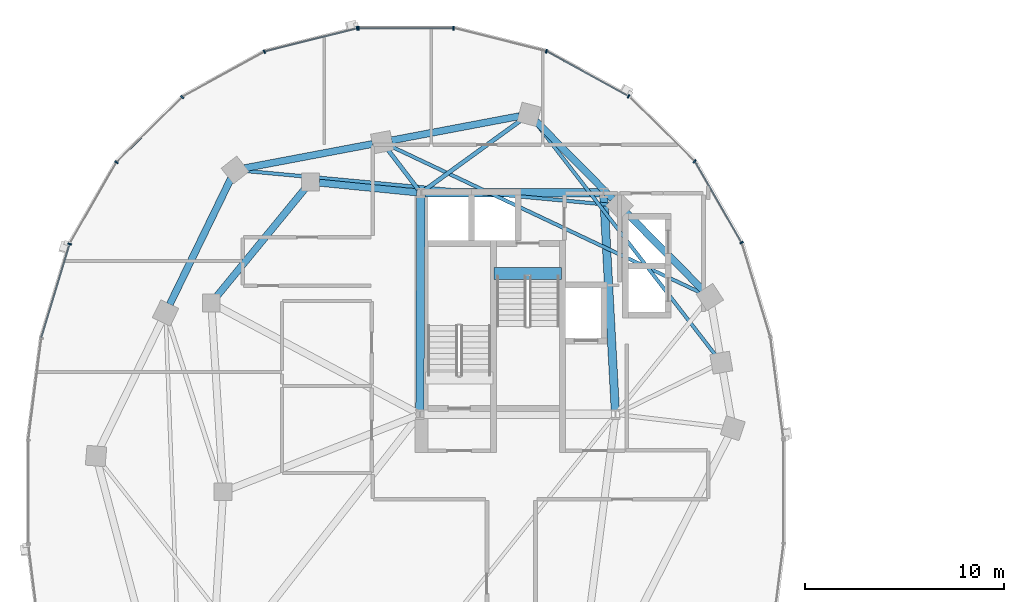
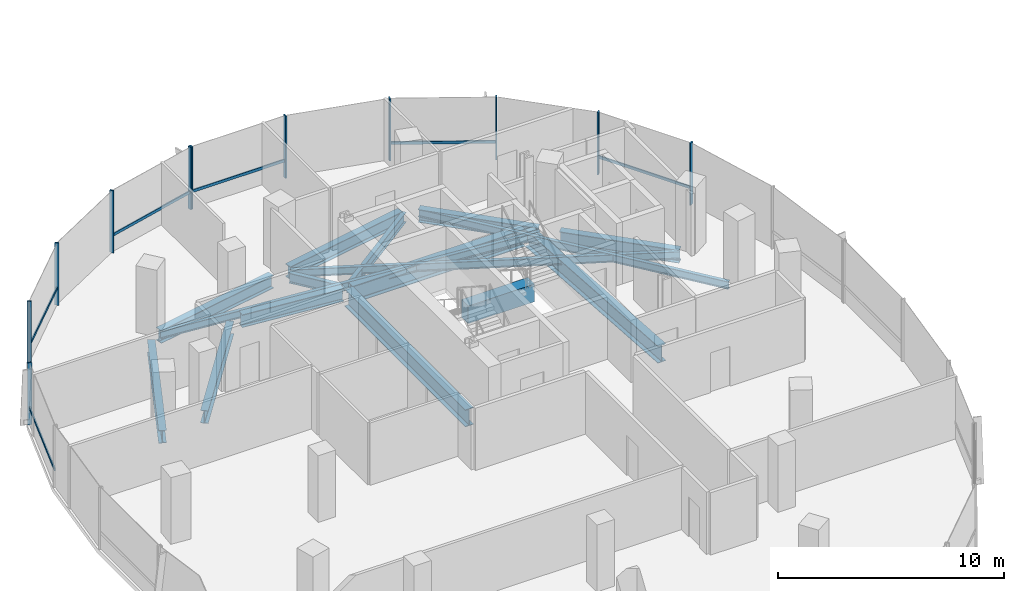
# One storey, part 5 of 22: 17 members, 16 beams, 2 elements without a shape of their own.
"""IFC4 building model written with IfcOpenShell, lengths in metres."""

from ifc_helpers import new_model, si_unit, direction, frame, origin, origin_2d, place, context, subcontext, project, spatial, rectangle, i_section, extrude, material, material_profile, profile_set, type_object, element, aggregate, save


model = new_model("IFC4")

# Units and contexts
model_context = context("Model", 3, precision=1e-05, world=origin(), true_north=direction((0.0, 1.0)))
body_context = subcontext(model_context, "Body", "Model", "MODEL_VIEW")
ifc_project = project(units=[si_unit("LENGTHUNIT", "METRE"), si_unit("AREAUNIT", "SQUARE_METRE"), si_unit("VOLUMEUNIT", "CUBIC_METRE"), si_unit("PLANEANGLEUNIT", "RADIAN"), si_unit("MASSUNIT", "GRAM", prefix="KILO"), si_unit("THERMODYNAMICTEMPERATUREUNIT", "KELVIN"), si_unit("POWERUNIT", "WATT")], contexts=[model_context])

# Site, building, storey
site_placement = place(None, origin())
site = spatial("IfcSite", under=ifc_project, at=site_placement, CompositionType="ELEMENT")
building_placement = place(site_placement, origin())
building = spatial("IfcBuilding", under=site, at=building_placement, Name="Cundina Bronze Exchange", CompositionType="ELEMENT")
storey_placement = place(building_placement, frame((0.0, 0.0, 165.60009765625)))
storey = spatial("IfcBuildingStorey", under=building, at=storey_placement, Name="L43", CompositionType="ELEMENT", Elevation=165.60009765625)

# Beams
ifc_material_1 = material(Name="Concrete C60/75", Category="concrete")
ifc_material_profile_1 = material_profile(ifc_material_1, rectangle(XDim=0.60009765625, YDim=0.949951171875, at=origin_2d()), Name="RC600X950", Category="concrete")
ifc_profile_set_1 = profile_set([ifc_material_profile_1], Name="Concrete C60/75")
beam_type_1 = type_object("IfcBeamType", Name="BM-COUP-RC950", PredefinedType="LINTEL", material=ifc_profile_set_1)
beam_1_placement = place(storey_placement, frame((-27.56005859375, 10.97998046875, -0.47509765625), z_axis=(1.0, 0.0, 0.0), x_axis=(0.0, 1.0, 0.0)))
element("IfcBeam", 1, at=beam_1_placement, inside=storey, type_object=beam_type_1, Name="L43 Stair W2 Landing Header Beam", PredefinedType="LINTEL", context=body_context, shape_type="SweptSolid", body=[
    extrude(rectangle(XDim=0.60009765625, YDim=0.949951171875, at=origin_2d()), origin(), (0.0, 0.0, 1.0), 3.400146484375),
])
ifc_material_2 = material(Name="Steel ASTM A992 Grade 50", Category="steel")
ifc_material_profile_2 = material_profile(ifc_material_2, i_section(OverallWidth=0.2119140625, OverallDepth=0.5439453125, WebThickness=0.01318359375, FlangeThickness=0.021240234375, FilletRadius=0.013916015625, at=origin_2d()), Name="W21X83", Category="steel")
ifc_profile_set_2 = profile_set([ifc_material_profile_2], Name="Steel ASTM A992 Grade 50")
beam_type_2 = type_object("IfcBeamType", Name="BM-FLR-W21A", PredefinedType="BEAM", material=ifc_profile_set_2)
beam_2_placement = place(storey_placement, frame((-31.084716796875, 15.169677734375, -0.51220703125), z_axis=(0.809693047063, 0.586853618492, 0.0), x_axis=(-0.586853618492, 0.809693047063, 0.0)))
element("IfcBeam", 2, at=beam_2_placement, inside=storey, type_object=beam_type_2, Name="L43 Leg W Radial Floor Beam 04", PredefinedType="BEAM", context=body_context, shape_type="SweptSolid", body=[
    extrude(i_section(OverallWidth=0.2119140625, OverallDepth=0.5439453125, WebThickness=0.01318359375, FlangeThickness=0.021240234375, FilletRadius=0.013916015625, at=origin_2d()), origin(), (0.0, 0.0, 1.0), 6.038818359375),
])
beam_3_placement = place(storey_placement, frame((-31.373779296875, 15.2119140625, -0.51220703125), z_axis=(-0.607450107571, 0.794357832977, 0.0), x_axis=(-0.794357832977, -0.607450107571, 0.0)))
element("IfcBeam", 3, at=beam_3_placement, inside=storey, type_object=beam_type_2, Name="L43 Leg W Radial Floor Beam 05", PredefinedType="BEAM", context=body_context, shape_type="SweptSolid", body=[
    extrude(i_section(OverallWidth=0.2119140625, OverallDepth=0.5439453125, WebThickness=0.01318359375, FlangeThickness=0.021240234375, FilletRadius=0.013916015625, at=origin_2d()), origin(), (0.0, 0.0, 1.0), 2.518310546875),
])
ifc_material_profile_3 = material_profile(ifc_material_2, i_section(OverallWidth=0.178955078125, OverallDepth=0.409912109375, WebThickness=0.0087890625, FlangeThickness=0.014404296875, FilletRadius=0.010986328125, at=origin_2d()), Name="W16X45", Category="steel")
ifc_profile_set_3 = profile_set([ifc_material_profile_3], Name="Steel ASTM A992 Grade 50")
beam_type_3 = type_object("IfcBeamType", Name="BM-JST-W16", PredefinedType="JOIST", material=ifc_profile_set_3)
beam_4_placement = place(storey_placement, frame((-16.423583984375, 6.885986328125, -0.445068359375), z_axis=(-0.61208354334, 0.790793105668, 0.0), x_axis=(-0.790793105668, -0.61208354334, 0.0)))
element("IfcBeam", 4, at=beam_4_placement, inside=storey, type_object=beam_type_3, Name="L43 Leg W Lobe Floor Joist 01-04", PredefinedType="JOIST", context=body_context, shape_type="SweptSolid", body=[
    extrude(i_section(OverallWidth=0.178955078125, OverallDepth=0.409912109375, WebThickness=0.0087890625, FlangeThickness=0.014404296875, FilletRadius=0.010986328125, at=origin_2d()), origin(), (0.0, 0.0, 1.0), 14.830810546875),
])
beam_5_placement = place(storey_placement, frame((-17.14111328125, 10.008544921875, -0.445068359375), z_axis=(-0.904074252188, 0.427375416385, 0.0), x_axis=(-0.427375416385, -0.904074252188, 0.0)))
element("IfcBeam", 5, at=beam_5_placement, inside=storey, type_object=beam_type_3, Name="L43 Leg W Lobe Floor Joist 02-05", PredefinedType="JOIST", context=body_context, shape_type="SweptSolid", body=[
    extrude(i_section(OverallWidth=0.178955078125, OverallDepth=0.409912109375, WebThickness=0.0087890625, FlangeThickness=0.014404296875, FilletRadius=0.010986328125, at=origin_2d()), origin(), (0.0, 0.0, 1.0), 17.274658203125),
])
beam_6_placement = place(storey_placement, frame((-21.73583984375, 14.4453125, -0.445068359375), z_axis=(-0.995701840093, 0.092616659595, 0.0), x_axis=(-0.092616659595, -0.995701840093, 0.0)))
element("IfcBeam", 6, at=beam_6_placement, inside=storey, type_object=beam_type_3, Name="L43 Leg W Lobe Floor Joist 03-06", PredefinedType="JOIST", context=body_context, shape_type="SweptSolid", body=[
    extrude(i_section(OverallWidth=0.178955078125, OverallDepth=0.409912109375, WebThickness=0.0087890625, FlangeThickness=0.014404296875, FilletRadius=0.010986328125, at=origin_2d()), origin(), (0.0, 0.0, 1.0), 18.45751953125),
])
ifc_material_profile_4 = material_profile(ifc_material_2, i_section(OverallWidth=0.35498046875, OverallDepth=0.695068359375, WebThickness=0.015380859375, FlangeThickness=0.02490234375, FilletRadius=0.01806640625, at=origin_2d()), Name="W27X146", Category="steel")
ifc_profile_set_4 = profile_set([ifc_material_profile_4], Name="Steel ASTM A992 Grade 50")
beam_type_4 = type_object("IfcBeamType", Name="BM-RING-W27", PredefinedType="USERDEFINED", material=ifc_profile_set_4)
beam_7_placement = place(storey_placement, frame((-31.452880859375, 15.070068359375, -0.587646484375), z_axis=(-0.995123020608, 0.098641643622, 0.0), x_axis=(-0.098641643622, -0.995123020608, 0.0)))
element("IfcBeam", 7, at=beam_7_placement, inside=storey, type_object=beam_type_4, Name="L43 W Inner Structural Ring Girder 01", ObjectType="GIRDER", PredefinedType="USERDEFINED", context=body_context, shape_type="SweptSolid", body=[
    extrude(i_section(OverallWidth=0.35498046875, OverallDepth=0.695068359375, WebThickness=0.015380859375, FlangeThickness=0.02490234375, FilletRadius=0.01806640625, at=origin_2d()), origin(), (0.0, 0.0, 1.0), 4.935302734375),
])
beam_8_placement = place(storey_placement, frame((-37.07763671875, 15.26123046875, -0.587646484375), z_axis=(-0.633912590175, -0.77340469873, 0.0), x_axis=(0.77340469873, -0.633912590175, 0.0)))
element("IfcBeam", 8, at=beam_8_placement, inside=storey, type_object=beam_type_4, Name="L43 W Inner Structural Ring Girder 02", ObjectType="GIRDER", PredefinedType="USERDEFINED", context=body_context, shape_type="SweptSolid", body=[
    extrude(i_section(OverallWidth=0.35498046875, OverallDepth=0.695068359375, WebThickness=0.015380859375, FlangeThickness=0.02490234375, FilletRadius=0.01806640625, at=origin_2d()), origin(), (0.0, 0.0, 1.0), 7.01123046875),
])
beam_9_placement = place(storey_placement, frame((-17.043212890625, 10.14697265625, -0.587646484375), z_axis=(-0.703230112979, 0.710962311378, 0.0), x_axis=(-0.710962311378, -0.703230112979, 0.0)))
element("IfcBeam", 9, at=beam_9_placement, inside=storey, type_object=beam_type_4, Name="L43 W Perimeter Ring Girder 02", ObjectType="GIRDER", PredefinedType="USERDEFINED", context=body_context, shape_type="SweptSolid", body=[
    extrude(i_section(OverallWidth=0.35498046875, OverallDepth=0.695068359375, WebThickness=0.015380859375, FlangeThickness=0.02490234375, FilletRadius=0.01806640625, at=origin_2d()), origin(), (0.0, 0.0, 1.0), 5.493896484375),
])
beam_10_placement = place(storey_placement, frame((-21.59326171875, 14.746826171875, -0.587646484375), z_axis=(-0.703207895705, 0.710984286337, 0.0), x_axis=(-0.710984286337, -0.703207895705, 0.0)))
element("IfcBeam", 10, at=beam_10_placement, inside=storey, type_object=beam_type_4, Name="L43 W Perimeter Ring Girder 03", ObjectType="GIRDER", PredefinedType="USERDEFINED", context=body_context, shape_type="SweptSolid", body=[
    extrude(i_section(OverallWidth=0.35498046875, OverallDepth=0.695068359375, WebThickness=0.015380859375, FlangeThickness=0.02490234375, FilletRadius=0.01806640625, at=origin_2d()), origin(), (0.0, 0.0, 1.0), 5.494140625),
])
beam_11_placement = place(storey_placement, frame((-26.279541015625, 18.9091796875, -0.587646484375), z_axis=(-0.982571532667, -0.185884865421, 0.0), x_axis=(0.185884865421, -0.982571532667, 0.0)))
element("IfcBeam", 11, at=beam_11_placement, inside=storey, type_object=beam_type_4, Name="L43 W Perimeter Ring Girder 04", ObjectType="GIRDER", PredefinedType="USERDEFINED", context=body_context, shape_type="SweptSolid", body=[
    extrude(i_section(OverallWidth=0.35498046875, OverallDepth=0.695068359375, WebThickness=0.015380859375, FlangeThickness=0.02490234375, FilletRadius=0.01806640625, at=origin_2d()), origin(), (0.0, 0.0, 1.0), 6.55517578125),
])
beam_12_placement = place(storey_placement, frame((-33.679443359375, 17.50927734375, -0.587646484375), z_axis=(-0.982572819495, -0.185878063226, 0.0), x_axis=(0.185878063226, -0.982572819495, 0.0)))
element("IfcBeam", 12, at=beam_12_placement, inside=storey, type_object=beam_type_4, Name="L43 W Perimeter Ring Girder 05", ObjectType="GIRDER", PredefinedType="USERDEFINED", context=body_context, shape_type="SweptSolid", body=[
    extrude(i_section(OverallWidth=0.35498046875, OverallDepth=0.695068359375, WebThickness=0.015380859375, FlangeThickness=0.02490234375, FilletRadius=0.01806640625, at=origin_2d()), origin(), (0.0, 0.0, 1.0), 6.555419921875),
])
beam_13_placement = place(storey_placement, frame((-40.8134765625, 15.760986328125, -0.587646484375), z_axis=(-0.437196998825, -0.89936576776, 0.0), x_axis=(0.89936576776, -0.437196998825, 0.0)))
element("IfcBeam", 13, at=beam_13_placement, inside=storey, type_object=beam_type_4, Name="L43 W Perimeter Ring Girder 06", ObjectType="GIRDER", PredefinedType="USERDEFINED", context=body_context, shape_type="SweptSolid", body=[
    extrude(i_section(OverallWidth=0.35498046875, OverallDepth=0.695068359375, WebThickness=0.015380859375, FlangeThickness=0.02490234375, FilletRadius=0.01806640625, at=origin_2d()), origin(), (0.0, 0.0, 1.0), 7.029541015625),
])
ifc_material_profile_5 = material_profile(ifc_material_2, i_section(OverallWidth=0.41796875, OverallDepth=0.927001953125, WebThickness=0.019287109375, FlangeThickness=0.031982421875, FilletRadius=0.02392578125, at=origin_2d()), Name="W36X231", Category="steel")
ifc_profile_set_5 = profile_set([ifc_material_profile_5], Name="Steel ASTM A992 Grade 50")
beam_type_5 = type_object("IfcBeamType", Name="BM-WRN-W36B", PredefinedType="USERDEFINED", material=ifc_profile_set_5)
beam_14_placement = place(storey_placement, frame((-21.4609375, 4.103759765625, -0.70361328125), z_axis=(-0.053739193498, 0.998555005537, 0.0), x_axis=(-0.998555005537, -0.053739193498, 0.0)))
element("IfcBeam", 14, at=beam_14_placement, inside=storey, type_object=beam_type_5, Name="L43 W Core Perimeter Tie Girder 2", ObjectType="GIRDER", PredefinedType="USERDEFINED", context=body_context, shape_type="SweptSolid", body=[
    extrude(i_section(OverallWidth=0.41796875, OverallDepth=0.927001953125, WebThickness=0.019287109375, FlangeThickness=0.031982421875, FilletRadius=0.02392578125, at=origin_2d()), origin(), (0.0, 0.0, 1.0), 10.758056640625),
])
beam_15_placement = place(storey_placement, frame((-22.25390625, 15.050048828125, -0.70361328125), z_axis=(-1.0, 0.0, 0.0), x_axis=(0.0, -1.0, 0.0)))
element("IfcBeam", 15, at=beam_15_placement, inside=storey, type_object=beam_type_5, Name="L43 W Core Perimeter Tie Girder 3", ObjectType="GIRDER", PredefinedType="USERDEFINED", context=body_context, shape_type="SweptSolid", body=[
    extrude(i_section(OverallWidth=0.41796875, OverallDepth=0.927001953125, WebThickness=0.019287109375, FlangeThickness=0.031982421875, FilletRadius=0.02392578125, at=origin_2d()), origin(), (0.0, 0.0, 1.0), 8.7919921875),
])
beam_16_placement = place(storey_placement, frame((-31.2509765625, 14.845947265625, -0.70361328125), z_axis=(-0.004477329608, -0.99998997671, 0.0), x_axis=(0.99998997671, -0.004477329608, 0.0)))
element("IfcBeam", 16, at=beam_16_placement, inside=storey, type_object=beam_type_5, Name="L43 W Core Perimeter Tie Girder 4", ObjectType="GIRDER", PredefinedType="USERDEFINED", context=body_context, shape_type="SweptSolid", body=[
    extrude(i_section(OverallWidth=0.41796875, OverallDepth=0.927001953125, WebThickness=0.019287109375, FlangeThickness=0.031982421875, FilletRadius=0.02392578125, at=origin_2d()), origin(), (0.0, 0.0, 1.0), 10.741943359375),
])

# Curtain wall, members
ifc_material_3 = material(Name="Anodised Bronze Aluminium 6063-T6", Category="aluminium")
curtain_wall_type = type_object("IfcCurtainWallType", Name="CWS-WST-PIN", PredefinedType="NOTDEFINED", material=ifc_material_3)
curtain_wall_1_placement = place(storey_placement, origin())
curtain_wall_1 = element("IfcCurtainWall", 17, at=curtain_wall_1_placement, inside=storey, type_object=curtain_wall_type, Name="L43 CW-04 Curtain Wall Run CWR-L43-W1", PredefinedType="NOTDEFINED")
ifc_material_profile_6 = material_profile(ifc_material_3, rectangle(XDim=0.070068359375, YDim=0.18994140625, at=origin_2d()), Name="AL70X190", Category="aluminium")
ifc_profile_set_6 = profile_set([ifc_material_profile_6], Name="Anodised Bronze Aluminium 6063-T6")
member_type_1 = type_object("IfcMemberType", Name="CWM-MUL-190", PredefinedType="MULLION", material=ifc_profile_set_6)
member_1_placement = place(storey_placement, frame((-15.10205078125, 12.541259765625, 0.0), z_axis=(0.0, 0.0, 1.0), x_axis=(-0.498487739754, 0.866896748936, 0.0)))
member_1 = element("IfcMember", 18, at=member_1_placement, type_object=member_type_1, Name="CW-04 Mullion 3", PredefinedType="MULLION", context=body_context, shape_type="SweptSolid", body=[
    extrude(rectangle(XDim=0.070068359375, YDim=0.18994140625, at=origin_2d()), origin(), (0.0, 0.0, 1.0), 3.35986328125),
])
member_2_placement = place(storey_placement, frame((-17.469482421875, 16.640380859375, 0.0), z_axis=(0.0, 0.0, 1.0), x_axis=(-0.712026045991, 0.702153052995, 0.0)))
member_2 = element("IfcMember", 19, at=member_2_placement, type_object=member_type_1, Name="CW-04 Mullion 4", PredefinedType="MULLION", context=body_context, shape_type="SweptSolid", body=[
    extrude(rectangle(XDim=0.070068359375, YDim=0.18994140625, at=origin_2d()), origin(), (0.0, 0.0, 1.0), 3.35986328125),
])
member_3_placement = place(storey_placement, frame((-20.79345703125, 19.906005859375, 0.0), z_axis=(0.0, 0.0, 1.0), x_axis=(-0.875885937035, 0.482518212408, 0.0)))
member_3 = element("IfcMember", 20, at=member_3_placement, type_object=member_type_1, Name="CW-04 Mullion 5", PredefinedType="MULLION", context=body_context, shape_type="SweptSolid", body=[
    extrude(rectangle(XDim=0.070068359375, YDim=0.18994140625, at=origin_2d()), origin(), (0.0, 0.0, 1.0), 3.35986328125),
])
member_4_placement = place(storey_placement, frame((-24.932373046875, 22.17626953125, 0.0), z_axis=(0.0, 0.0, 1.0), x_axis=(-0.970084240161, 0.242768546132, 0.0)))
member_4 = element("IfcMember", 21, at=member_4_placement, type_object=member_type_1, Name="CW-04 Mullion 6", PredefinedType="MULLION", context=body_context, shape_type="SweptSolid", body=[
    extrude(rectangle(XDim=0.070068359375, YDim=0.18994140625, at=origin_2d()), origin(), (0.0, 0.0, 1.0), 3.35986328125),
])
member_5_placement = place(storey_placement, frame((-29.60595703125, 23.3369140625, 0.0), z_axis=(0.0, 0.0, 1.0), x_axis=(-1.0, 0.0, 0.0)))
member_5 = element("IfcMember", 22, at=member_5_placement, type_object=member_type_1, Name="CW-04 Mullion 7", PredefinedType="MULLION", context=body_context, shape_type="SweptSolid", body=[
    extrude(rectangle(XDim=0.070068359375, YDim=0.18994140625, at=origin_2d()), origin(), (0.0, 0.0, 1.0), 3.35986328125),
])
member_6_placement = place(storey_placement, frame((-34.39404296875, 23.3369140625, 0.0), z_axis=(0.0, 0.0, 1.0), x_axis=(-1.0, 0.0, 0.0)))
member_6 = element("IfcMember", 23, at=member_6_placement, type_object=member_type_1, Name="CW-04 End Mullion", PredefinedType="MULLION", context=body_context, shape_type="SweptSolid", body=[
    extrude(rectangle(XDim=0.070068359375, YDim=0.18994140625, at=origin_2d()), origin(), (0.0, 0.0, 1.0), 3.35986328125),
])

curtain_wall_2_placement = place(storey_placement, origin())
curtain_wall_2 = element("IfcCurtainWall", 24, at=curtain_wall_2_placement, inside=storey, type_object=curtain_wall_type, Name="L43 CW-04 Curtain Wall Run CWR-L43-W2", PredefinedType="NOTDEFINED")
member_7_placement = place(storey_placement, frame((-34.462646484375, 23.32861328125, 0.0), z_axis=(0.0, 0.0, 1.0), x_axis=(-0.970084240161, -0.242768546132, 0.0)))
member_7 = element("IfcMember", 25, at=member_7_placement, type_object=member_type_1, Name="CW-04 Mullion 1", PredefinedType="MULLION", context=body_context, shape_type="SweptSolid", body=[
    extrude(rectangle(XDim=0.070068359375, YDim=0.18994140625, at=origin_2d()), origin(), (0.0, 0.0, 1.0), 3.35986328125),
])
member_8_placement = place(storey_placement, frame((-39.13037109375, 22.151611328125, 0.0), z_axis=(0.0, 0.0, 1.0), x_axis=(-0.875885937035, -0.482518212408, 0.0)))
member_8 = element("IfcMember", 26, at=member_8_placement, type_object=member_type_1, Name="CW-04 Mullion 2", PredefinedType="MULLION", context=body_context, shape_type="SweptSolid", body=[
    extrude(rectangle(XDim=0.070068359375, YDim=0.18994140625, at=origin_2d()), origin(), (0.0, 0.0, 1.0), 3.35986328125),
])
member_9_placement = place(storey_placement, frame((-43.259033203125, 19.86669921875, 0.0), z_axis=(0.0, 0.0, 1.0), x_axis=(-0.712026045991, -0.702153052995, 0.0)))
member_9 = element("IfcMember", 27, at=member_9_placement, type_object=member_type_1, Name="CW-04 Mullion 3", PredefinedType="MULLION", context=body_context, shape_type="SweptSolid", body=[
    extrude(rectangle(XDim=0.070068359375, YDim=0.18994140625, at=origin_2d()), origin(), (0.0, 0.0, 1.0), 3.35986328125),
])
member_10_placement = place(storey_placement, frame((-46.57080078125, 16.588134765625, 0.0), z_axis=(0.0, 0.0, 1.0), x_axis=(-0.498487739754, -0.866896748936, 0.0)))
member_10 = element("IfcMember", 28, at=member_10_placement, type_object=member_type_1, Name="CW-04 Mullion 4", PredefinedType="MULLION", context=body_context, shape_type="SweptSolid", body=[
    extrude(rectangle(XDim=0.070068359375, YDim=0.18994140625, at=origin_2d()), origin(), (0.0, 0.0, 1.0), 3.35986328125),
])
member_11_placement = place(storey_placement, frame((-48.92626953125, 12.4755859375, 0.0), z_axis=(0.0, 0.0, 1.0), x_axis=(-0.290034140915, -0.957016299288, 0.0)))
member_11 = element("IfcMember", 29, at=member_11_placement, type_object=member_type_1, Name="CW-04 Mullion 5", PredefinedType="MULLION", context=body_context, shape_type="SweptSolid", body=[
    extrude(rectangle(XDim=0.070068359375, YDim=0.18994140625, at=origin_2d()), origin(), (0.0, 0.0, 1.0), 3.35986328125),
])

# Member
ifc_material_profile_7 = material_profile(ifc_material_3, rectangle(XDim=0.06494140625, YDim=0.14990234375, at=origin_2d()), Name="AL65X150", Category="aluminium")
ifc_profile_set_7 = profile_set([ifc_material_profile_7], Name="Anodised Bronze Aluminium 6063-T6")
member_type_2 = type_object("IfcMemberType", Name="CWM-TRN-150", PredefinedType="USERDEFINED", material=ifc_profile_set_7)
member_12_placement = place(storey_placement, frame((-15.121337890625, 12.574462890625, 0.919921875), z_axis=(-0.498479967047, 0.866901218394, 0.0), x_axis=(-0.866901218394, -0.498479967047, 0.0)))
member_12 = element("IfcMember", 30, at=member_12_placement, type_object=member_type_2, Name="CW-04 Spandrel Transom 3", ObjectType="TRANSOM", PredefinedType="USERDEFINED", context=body_context, shape_type="SweptSolid", body=[
    extrude(rectangle(XDim=0.06494140625, YDim=0.14990234375, at=origin_2d()), origin(), (0.0, 0.0, 1.0), 4.66845703125),
])

member_13_placement = place(storey_placement, frame((-20.8271484375, 19.924560546875, 0.919921875), z_axis=(-0.875878981549, 0.482530838062, 0.0), x_axis=(-0.482530838062, -0.875878981549, 0.0)))
member_13 = element("IfcMember", 31, at=member_13_placement, type_object=member_type_2, Name="CW-04 Spandrel Transom 5", ObjectType="TRANSOM", PredefinedType="USERDEFINED", context=body_context, shape_type="SweptSolid", body=[
    extrude(rectangle(XDim=0.06494140625, YDim=0.14990234375, at=origin_2d()), origin(), (0.0, 0.0, 1.0), 4.65380859375),
])

member_14_placement = place(storey_placement, frame((-29.64453125, 23.3369140625, 0.919921875), z_axis=(-1.0, 0.0, 0.0), x_axis=(0.0, -1.0, 0.0)))
member_14 = element("IfcMember", 32, at=member_14_placement, type_object=member_type_2, Name="CW-04 Spandrel Transom 7", ObjectType="TRANSOM", PredefinedType="USERDEFINED", context=body_context, shape_type="SweptSolid", body=[
    extrude(rectangle(XDim=0.06494140625, YDim=0.14990234375, at=origin_2d()), origin(), (0.0, 0.0, 1.0), 4.7109375),
])

aggregate(curtain_wall_1, [member_1, member_12, member_2, member_3, member_13, member_4, member_5, member_6, member_14])

member_15_placement = place(storey_placement, frame((-34.5, 23.319091796875, 0.919921875), z_axis=(-0.970100130035, -0.242705042606, 0.0), x_axis=(0.242705042606, -0.970100130035, 0.0)))
member_15 = element("IfcMember", 33, at=member_15_placement, type_object=member_type_2, Name="CW-04 Spandrel Transom 1", ObjectType="TRANSOM", PredefinedType="USERDEFINED", context=body_context, shape_type="SweptSolid", body=[
    extrude(rectangle(XDim=0.06494140625, YDim=0.14990234375, at=origin_2d()), origin(), (0.0, 0.0, 1.0), 4.746826171875),
])

member_16_placement = place(storey_placement, frame((-43.28662109375, 19.839599609375, 0.919921875), z_axis=(-0.712005023839, -0.702174370102, 0.0), x_axis=(0.702174370102, -0.712005023839, 0.0)))
member_16 = element("IfcMember", 34, at=member_16_placement, type_object=member_type_2, Name="CW-04 Spandrel Transom 3", ObjectType="TRANSOM", PredefinedType="USERDEFINED", context=body_context, shape_type="SweptSolid", body=[
    extrude(rectangle(XDim=0.06494140625, YDim=0.14990234375, at=origin_2d()), origin(), (0.0, 0.0, 1.0), 4.594482421875),
])

member_17_placement = place(storey_placement, frame((-48.937255859375, 12.43896484375, 0.919921875), z_axis=(-0.290051855969, -0.957010930371, 0.0), x_axis=(0.957010930371, -0.290051855969, 0.0)))
member_17 = element("IfcMember", 35, at=member_17_placement, type_object=member_type_2, Name="CW-04 Spandrel Transom 5", ObjectType="TRANSOM", PredefinedType="USERDEFINED", context=body_context, shape_type="SweptSolid", body=[
    extrude(rectangle(XDim=0.06494140625, YDim=0.14990234375, at=origin_2d()), origin(), (0.0, 0.0, 1.0), 4.876953125),
])

aggregate(curtain_wall_2, [member_7, member_15, member_8, member_9, member_16, member_10, member_11, member_17])

save(model, "model.ifc")
